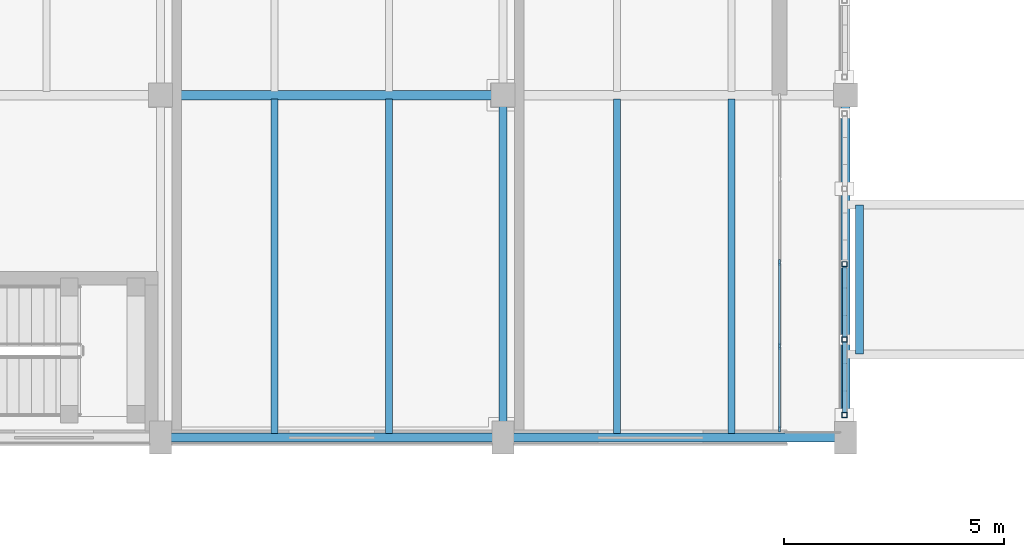
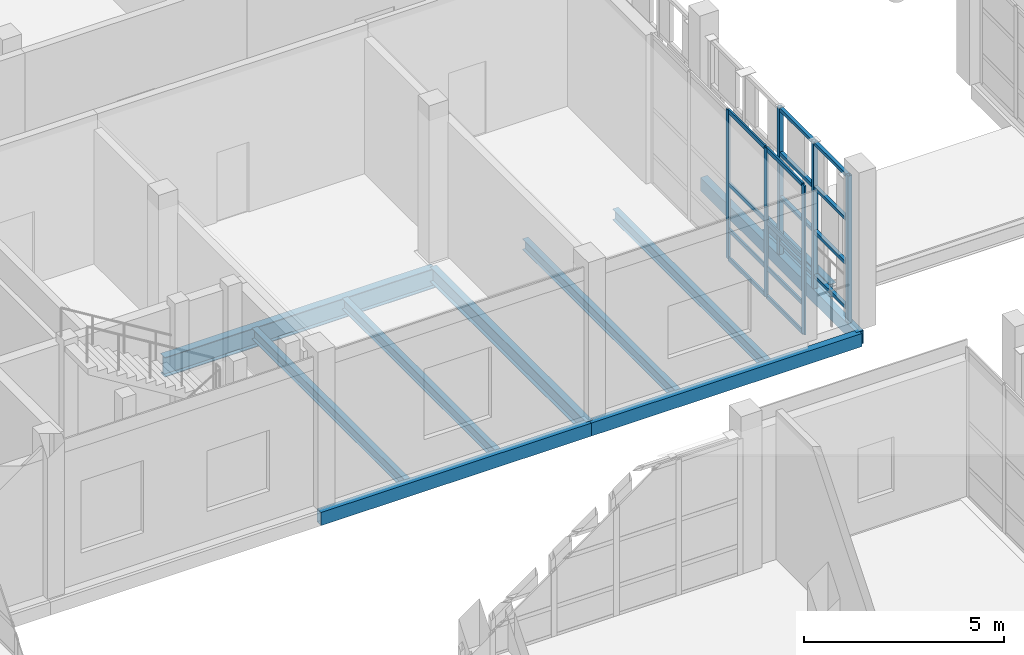
# One storey, part 34 of 138: 22 members, 10 beams, 1 element without a shape of its own.
"""IFC4 building model written with IfcOpenShell, lengths in metres."""

from ifc_helpers import new_model, si_unit, direction, frame, origin, origin_2d, place, context, subcontext, project, spatial, rectangle, hollow_rectangle, i_section, extrude, material, layer, layer_set, material_profile, profile_set, type_object, element, aggregate, save


model = new_model("IFC4")

# Units and contexts
model_context = context("Model", 3, precision=1e-05, world=origin(), true_north=direction((0.0, 1.0)))
body_context = subcontext(model_context, "Body", "Model", "MODEL_VIEW")
ifc_project = project(units=[si_unit("LENGTHUNIT", "METRE"), si_unit("AREAUNIT", "SQUARE_METRE"), si_unit("VOLUMEUNIT", "CUBIC_METRE"), si_unit("PLANEANGLEUNIT", "RADIAN"), si_unit("MASSUNIT", "GRAM", prefix="KILO")], contexts=[model_context])

# Site, building, storey
site_placement = place(None, origin())
site = spatial("IfcSite", under=ifc_project, at=site_placement, CompositionType="ELEMENT")
building_placement = place(site_placement, origin())
building = spatial("IfcBuilding", under=site, at=building_placement, Name="Celorna Specialist Clinic", CompositionType="ELEMENT")
storey_placement = place(building_placement, frame((0.0, 0.0, 4.800048828125)))
storey = spatial("IfcBuildingStorey", under=building, at=storey_placement, Name="L01", CompositionType="ELEMENT", Elevation=4.800048828125)

# Beams
ifc_material_1 = material(Name="Steel S355", Category="steel")
ifc_material_profile_1 = material_profile(ifc_material_1, i_section(OverallWidth=0.219970703125, OverallDepth=0.60009765625, WebThickness=0.011962890625, FlangeThickness=0.01904296875, at=origin_2d()), Name="IPE 600")
ifc_profile_set_1 = profile_set([ifc_material_profile_1], Name="Steel S355")
beam_type_1 = type_object("IfcBeamType", Name="BM-06", PredefinedType="BEAM", material=ifc_profile_set_1)
beam_1_placement = place(storey_placement, frame((31.199951171875, 42.89990234375, -0.64013671875), z_axis=(1.0, 0.0, 0.0), x_axis=(0.0, 1.0, 0.0)))
element("IfcBeam", 1, at=beam_1_placement, inside=storey, type_object=beam_type_1, Name="Primary girder BM-06 #367", PredefinedType="BEAM", context=body_context, shape_type="SweptSolid", body=[
    extrude(i_section(OverallWidth=0.219970703125, OverallDepth=0.60009765625, WebThickness=0.011962890625, FlangeThickness=0.01904296875, at=origin_2d()), origin(), (0.0, 0.0, 1.0), 7.800048828125),
])
ifc_material_profile_2 = material_profile(ifc_material_1, i_section(OverallWidth=0.18994140625, OverallDepth=0.449951171875, WebThickness=0.009521484375, FlangeThickness=0.0146484375, at=origin_2d()), Name="IPE 450")
ifc_profile_set_2 = profile_set([ifc_material_profile_2], Name="Steel S355")
beam_type_2 = type_object("IfcBeamType", Name="BM-09", PredefinedType="BEAM", material=ifc_profile_set_2)
beam_2_placement = place(storey_placement, frame((39.0, 35.10009765625, -0.56494140625), z_axis=(0.0, 1.0, 0.0), x_axis=(-1.0, 0.0, 0.0)))
element("IfcBeam", 2, at=beam_2_placement, inside=storey, type_object=beam_type_2, Name="Transverse girder BM-09 #406", PredefinedType="BEAM", context=body_context, shape_type="SweptSolid", body=[
    extrude(i_section(OverallWidth=0.18994140625, OverallDepth=0.449951171875, WebThickness=0.009521484375, FlangeThickness=0.0146484375, at=origin_2d()), origin(), (0.0, 0.0, 1.0), 7.7998046875),
])
ifc_material_profile_3 = material_profile(ifc_material_1, i_section(OverallWidth=0.179931640625, OverallDepth=0.39990234375, WebThickness=0.008544921875, FlangeThickness=0.013427734375, at=origin_2d()), Name="IPE 400")
ifc_profile_set_3 = profile_set([ifc_material_profile_3], Name="Steel S355")
beam_type_3 = type_object("IfcBeamType", Name="BM-10", PredefinedType="BEAM", material=ifc_profile_set_3)
beam_3_placement = place(storey_placement, frame((47.1201171875, 37.0, -0.340087890625), z_axis=(0.0, 1.0, 0.0), x_axis=(-1.0, 0.0, 0.0)))
element("IfcBeam", 3, at=beam_3_placement, inside=storey, type_object=beam_type_3, Name="Bridge BR-02 transverse beam BM-10 #82", PredefinedType="BEAM", context=body_context, shape_type="SweptSolid", body=[
    extrude(i_section(OverallWidth=0.179931640625, OverallDepth=0.39990234375, WebThickness=0.008544921875, FlangeThickness=0.013427734375, at=origin_2d()), origin(), (0.0, 0.0, 1.0), 3.39990234375),
])
ifc_material_profile_4 = material_profile(ifc_material_1, i_section(OverallWidth=0.159912109375, OverallDepth=0.330078125, WebThickness=0.007568359375, FlangeThickness=0.011474609375, at=origin_2d()), Name="IPE 330")
ifc_profile_set_4 = profile_set([ifc_material_profile_4], Name="Steel S355")
beam_type_4 = type_object("IfcBeamType", Name="BM-12", PredefinedType="JOIST", material=ifc_profile_set_4)
for number, where, z_axis, x_axis, name in (
    (4, (33.800048828125, 35.18798828125, -0.505126953125), (0.0, 1.0, 0.0), (-1.0, 0.0, 0.0), "Secondary floor joist BM-12 #438"),
    (5, (36.39990234375, 35.18798828125, -0.505126953125), (0.0, 1.0, 0.0), (-1.0, 0.0, 0.0), "Secondary floor joist BM-12 #439"),
    (6, (41.60009765625, 35.18798828125, -0.505126953125), (0.0, 1.0, 0.0), (-1.0, 0.0, 0.0), "Secondary floor joist BM-12 #446"),
    (7, (44.199951171875, 35.18798828125, -0.505126953125), (0.0, 1.0, 0.0), (-1.0, 0.0, 0.0), "Secondary floor joist BM-12 #447"),
):
    element("IfcBeam", number, at=place(storey_placement, frame(where, z_axis=z_axis, x_axis=x_axis)), inside=storey, type_object=beam_type_4, Name=name, PredefinedType="JOIST", context=body_context, shape_type="SweptSolid", body=[
        extrude(i_section(OverallWidth=0.159912109375, OverallDepth=0.330078125, WebThickness=0.007568359375, FlangeThickness=0.011474609375, at=origin_2d()), origin(), (0.0, 0.0, 1.0), 7.6240234375),
    ])
ifc_material_profile_5 = material_profile(ifc_material_1, hollow_rectangle(XDim=0.199951171875, YDim=0.39990234375, WallThickness=0.011962890625, at=origin_2d()), Name="RHS 200x400x12")
ifc_profile_set_5 = profile_set([ifc_material_profile_5], Name="Steel S355")
beam_type_5 = type_object("IfcBeamType", Name="BM-15", PredefinedType="SPANDREL", material=ifc_profile_set_5)
for number, where, z_axis, x_axis, name in (
    (8, (31.199951171875, 35.10009765625, -0.5400390625), (1.0, 0.0, 0.0), (0.0, 1.0, 0.0), "Spandrel beam BM-15 #361"),
    (9, (39.0, 35.10009765625, -0.5400390625), (1.0, 0.0, 0.0), (0.0, 1.0, 0.0), "Spandrel beam BM-15 #362"),
):
    element("IfcBeam", number, at=place(storey_placement, frame(where, z_axis=z_axis, x_axis=x_axis)), inside=storey, type_object=beam_type_5, Name=name, PredefinedType="SPANDREL", context=body_context, shape_type="SweptSolid", body=[
        extrude(hollow_rectangle(XDim=0.199951171875, YDim=0.39990234375, WallThickness=0.011962890625, at=origin_2d()), origin(), (0.0, 0.0, 1.0), 7.800048828125),
    ])
beam_4_placement = place(storey_placement, frame((46.800048828125, 35.10009765625, -0.5400390625), z_axis=(0.0, 1.0, 0.0), x_axis=(-1.0, 0.0, 0.0)))
element("IfcBeam", 10, at=beam_4_placement, inside=storey, type_object=beam_type_5, Name="Spandrel beam BM-15 #410", PredefinedType="SPANDREL", context=body_context, shape_type="SweptSolid", body=[
    extrude(hollow_rectangle(XDim=0.199951171875, YDim=0.39990234375, WallThickness=0.011962890625, at=origin_2d()), origin(), (0.0, 0.0, 1.0), 7.7998046875),
])

# Members
ifc_material_profile_6 = material_profile(ifc_material_1, hollow_rectangle(XDim=0.1201171875, YDim=0.1201171875, WallThickness=0.008056640625, at=origin_2d()), Name="SHS 120x120x8")
ifc_profile_set_6 = profile_set([ifc_material_profile_6], Name="Steel S355")
member_type_1 = type_object("IfcMemberType", Name="MB-11", PredefinedType="STUD", material=ifc_profile_set_6)
for number, where, z_axis, x_axis, name in (
    (11, (46.780029296875, 35.614990234375, -0.360107421875), (0.0, 0.0, 1.0), (1.0, 0.0, 0.0), "Perforated screen steel post #1465"),
    (12, (46.780029296875, 37.33251953125, -0.360107421875), (0.0, 0.0, 1.0), (1.0, 0.0, 0.0), "Perforated screen steel post #1466"),
    (13, (46.780029296875, 39.050048828125, -0.360107421875), (0.0, 0.0, 1.0), (1.0, 0.0, 0.0), "Perforated screen steel post #1467"),
):
    element("IfcMember", number, at=place(storey_placement, frame(where, z_axis=z_axis, x_axis=x_axis)), inside=storey, type_object=member_type_1, Name=name, PredefinedType="STUD", context=body_context, shape_type="SweptSolid", body=[
        extrude(hollow_rectangle(XDim=0.1201171875, YDim=0.1201171875, WallThickness=0.008056640625, at=origin_2d()), origin(), (0.0, 0.0, 1.0), 4.5),
    ])
ifc_material_profile_7 = material_profile(ifc_material_1, hollow_rectangle(XDim=0.10009765625, YDim=0.10009765625, WallThickness=0.006103515625, at=origin_2d()), Name="SHS 100x100x6")
ifc_profile_set_7 = profile_set([ifc_material_profile_7], Name="Steel S355")
member_type_2 = type_object("IfcMemberType", Name="MB-12", PredefinedType="STUD", material=ifc_profile_set_7)
for number, where, z_axis, x_axis, name in (
    (14, (46.780029296875, 35.675048828125, 0.050048828125), (0.0, 1.0, 0.0), (-1.0, 0.0, 0.0), "Perforated screen rail #1470"),
    (15, (46.780029296875, 35.675048828125, 1.396728515625), (0.0, 1.0, 0.0), (-1.0, 0.0, 0.0), "Perforated screen rail #1471"),
    (16, (46.780029296875, 35.675048828125, 2.7431640625), (0.0, 1.0, 0.0), (-1.0, 0.0, 0.0), "Perforated screen rail #1472"),
    (17, (46.780029296875, 35.675048828125, 4.08984375), (0.0, 1.0, 0.0), (-1.0, 0.0, 0.0), "Perforated screen rail #1473"),
    (18, (46.780029296875, 37.392578125, 0.050048828125), (0.0, 1.0, 0.0), (-1.0, 0.0, 0.0), "Perforated screen rail #1474"),
    (19, (46.780029296875, 37.392578125, 1.396728515625), (0.0, 1.0, 0.0), (-1.0, 0.0, 0.0), "Perforated screen rail #1475"),
    (20, (46.780029296875, 37.392578125, 2.7431640625), (0.0, 1.0, 0.0), (-1.0, 0.0, 0.0), "Perforated screen rail #1476"),
    (21, (46.780029296875, 37.392578125, 4.08984375), (0.0, 1.0, 0.0), (-1.0, 0.0, 0.0), "Perforated screen rail #1477"),
):
    element("IfcMember", number, at=place(storey_placement, frame(where, z_axis=z_axis, x_axis=x_axis)), inside=storey, type_object=member_type_2, Name=name, PredefinedType="STUD", context=body_context, shape_type="SweptSolid", body=[
        extrude(hollow_rectangle(XDim=0.10009765625, YDim=0.10009765625, WallThickness=0.006103515625, at=origin_2d()), origin(), (0.0, 0.0, 1.0), 1.597412109375),
    ])

# Curtain wall, members
ifc_material_2 = material(Name="Thermally broken aluminium and solar-control glass curtain wall", Category="aluminium")
ifc_layer = layer(ifc_material_2, 0.159912109375, Name="Thermally broken aluminium and solar-control glass curtain wall")
ifc_layer_set = layer_set([ifc_layer], Name="Thermally broken aluminium and solar-control glass curtain wall")
curtain_wall_type = type_object("IfcCurtainWallType", Name="CW-25", PredefinedType="NOTDEFINED", material=ifc_layer_set)
curtain_wall_placement = place(storey_placement, origin())
curtain_wall = element("IfcCurtainWall", 22, at=curtain_wall_placement, inside=storey, type_object=curtain_wall_type, Name="Curtain wall CW-25 #54", PredefinedType="NOTDEFINED")
ifc_material_3 = material(Name="Anodized aluminium mullion", Category="aluminium")
ifc_material_profile_8 = material_profile(ifc_material_3, rectangle(XDim=0.050048828125, YDim=0.139892578125, at=origin_2d()), Name="ALU MULLION 50x140")
ifc_profile_set_8 = profile_set([ifc_material_profile_8], Name="Anodized aluminium mullion")
member_type_3 = type_object("IfcMemberType", Name="ML-03", PredefinedType="MULLION", material=ifc_profile_set_8)
member_1_placement = place(storey_placement, frame((45.300048828125, 39.0849609375, 0.0), z_axis=(0.0, 0.0, 1.0), x_axis=(1.0, 0.0, 0.0)))
member_1 = element("IfcMember", 23, at=member_1_placement, type_object=member_type_3, Name="CW-25 mullion 3", PredefinedType="MULLION", context=body_context, shape_type="SweptSolid", body=[
    extrude(rectangle(XDim=0.050048828125, YDim=0.139892578125, at=origin_2d()), origin(), (0.0, 0.0, 1.0), 4.5400390625),
])
member_2_placement = place(storey_placement, frame((45.300048828125, 37.179443359375, 0.0), z_axis=(0.0, 0.0, 1.0), x_axis=(1.0, 0.0, 0.0)))
member_2 = element("IfcMember", 24, at=member_2_placement, type_object=member_type_3, Name="CW-25 mullion 4", PredefinedType="MULLION", context=body_context, shape_type="SweptSolid", body=[
    extrude(rectangle(XDim=0.050048828125, YDim=0.139892578125, at=origin_2d()), origin(), (0.0, 0.0, 1.0), 4.5400390625),
])
member_3_placement = place(storey_placement, frame((45.300048828125, 35.299072265625, 0.0), z_axis=(0.0, 0.0, 1.0), x_axis=(1.0, 0.0, 0.0)))
member_3 = element("IfcMember", 25, at=member_3_placement, type_object=member_type_3, Name="CW-25 mullion 5", PredefinedType="MULLION", context=body_context, shape_type="SweptSolid", body=[
    extrude(rectangle(XDim=0.050048828125, YDim=0.139892578125, at=origin_2d()), origin(), (0.0, 0.0, 1.0), 4.5400390625),
])
ifc_material_4 = material(Name="Anodized aluminium transom", Category="aluminium")
ifc_material_profile_9 = material_profile(ifc_material_4, rectangle(XDim=0.050048828125, YDim=0.1298828125, at=origin_2d()), Name="ALU TRANSOM 50x130")
ifc_profile_set_9 = profile_set([ifc_material_profile_9], Name="Anodized aluminium transom")
member_type_4 = type_object("IfcMemberType", Name="TR-01", PredefinedType="USERDEFINED", material=ifc_profile_set_9)
member_4_placement = place(storey_placement, frame((45.300048828125, 39.06005859375, 0.02490234375), z_axis=(0.0, -1.0, 0.0), x_axis=(1.0, 0.0, 0.0)))
member_4 = element("IfcMember", 26, at=member_4_placement, type_object=member_type_4, Name="CW-25 transom 3.1", ObjectType="TRANSOM", PredefinedType="USERDEFINED", context=body_context, shape_type="SweptSolid", body=[
    extrude(rectangle(XDim=0.050048828125, YDim=0.1298828125, at=origin_2d()), origin(), (0.0, 0.0, 1.0), 1.85546875),
])
member_5_placement = place(storey_placement, frame((45.300048828125, 39.06005859375, 0.89990234375), z_axis=(0.0, -1.0, 0.0), x_axis=(1.0, 0.0, 0.0)))
member_5 = element("IfcMember", 27, at=member_5_placement, type_object=member_type_4, Name="CW-25 transom 3.2", ObjectType="TRANSOM", PredefinedType="USERDEFINED", context=body_context, shape_type="SweptSolid", body=[
    extrude(rectangle(XDim=0.050048828125, YDim=0.1298828125, at=origin_2d()), origin(), (0.0, 0.0, 1.0), 1.85546875),
])
member_6_placement = place(storey_placement, frame((45.300048828125, 39.06005859375, 2.300048828125), z_axis=(0.0, -1.0, 0.0), x_axis=(1.0, 0.0, 0.0)))
member_6 = element("IfcMember", 28, at=member_6_placement, type_object=member_type_4, Name="CW-25 transom 3.3", ObjectType="TRANSOM", PredefinedType="USERDEFINED", context=body_context, shape_type="SweptSolid", body=[
    extrude(rectangle(XDim=0.050048828125, YDim=0.1298828125, at=origin_2d()), origin(), (0.0, 0.0, 1.0), 1.85546875),
])
member_7_placement = place(storey_placement, frame((45.300048828125, 39.06005859375, 4.514892578125), z_axis=(0.0, -1.0, 0.0), x_axis=(1.0, 0.0, 0.0)))
member_7 = element("IfcMember", 29, at=member_7_placement, type_object=member_type_4, Name="CW-25 transom 3.4", ObjectType="TRANSOM", PredefinedType="USERDEFINED", context=body_context, shape_type="SweptSolid", body=[
    extrude(rectangle(XDim=0.050048828125, YDim=0.1298828125, at=origin_2d()), origin(), (0.0, 0.0, 1.0), 1.85546875),
])
member_8_placement = place(storey_placement, frame((45.300048828125, 37.154541015625, 0.02490234375), z_axis=(0.0, -1.0, 0.0), x_axis=(1.0, 0.0, 0.0)))
member_8 = element("IfcMember", 30, at=member_8_placement, type_object=member_type_4, Name="CW-25 transom 4.1", ObjectType="TRANSOM", PredefinedType="USERDEFINED", context=body_context, shape_type="SweptSolid", body=[
    extrude(rectangle(XDim=0.050048828125, YDim=0.1298828125, at=origin_2d()), origin(), (0.0, 0.0, 1.0), 1.83056640625),
])
member_9_placement = place(storey_placement, frame((45.300048828125, 37.154541015625, 0.89990234375), z_axis=(0.0, -1.0, 0.0), x_axis=(1.0, 0.0, 0.0)))
member_9 = element("IfcMember", 31, at=member_9_placement, type_object=member_type_4, Name="CW-25 transom 4.2", ObjectType="TRANSOM", PredefinedType="USERDEFINED", context=body_context, shape_type="SweptSolid", body=[
    extrude(rectangle(XDim=0.050048828125, YDim=0.1298828125, at=origin_2d()), origin(), (0.0, 0.0, 1.0), 1.83056640625),
])
member_10_placement = place(storey_placement, frame((45.300048828125, 37.154541015625, 2.300048828125), z_axis=(0.0, -1.0, 0.0), x_axis=(1.0, 0.0, 0.0)))
member_10 = element("IfcMember", 32, at=member_10_placement, type_object=member_type_4, Name="CW-25 transom 4.3", ObjectType="TRANSOM", PredefinedType="USERDEFINED", context=body_context, shape_type="SweptSolid", body=[
    extrude(rectangle(XDim=0.050048828125, YDim=0.1298828125, at=origin_2d()), origin(), (0.0, 0.0, 1.0), 1.83056640625),
])
member_11_placement = place(storey_placement, frame((45.300048828125, 37.154541015625, 4.514892578125), z_axis=(0.0, -1.0, 0.0), x_axis=(1.0, 0.0, 0.0)))
member_11 = element("IfcMember", 33, at=member_11_placement, type_object=member_type_4, Name="CW-25 transom 4.4", ObjectType="TRANSOM", PredefinedType="USERDEFINED", context=body_context, shape_type="SweptSolid", body=[
    extrude(rectangle(XDim=0.050048828125, YDim=0.1298828125, at=origin_2d()), origin(), (0.0, 0.0, 1.0), 1.83056640625),
])
aggregate(curtain_wall, [member_1, member_2, member_3, member_4, member_5, member_6, member_7, member_8, member_9, member_10, member_11])

save(model, "model.ifc")
